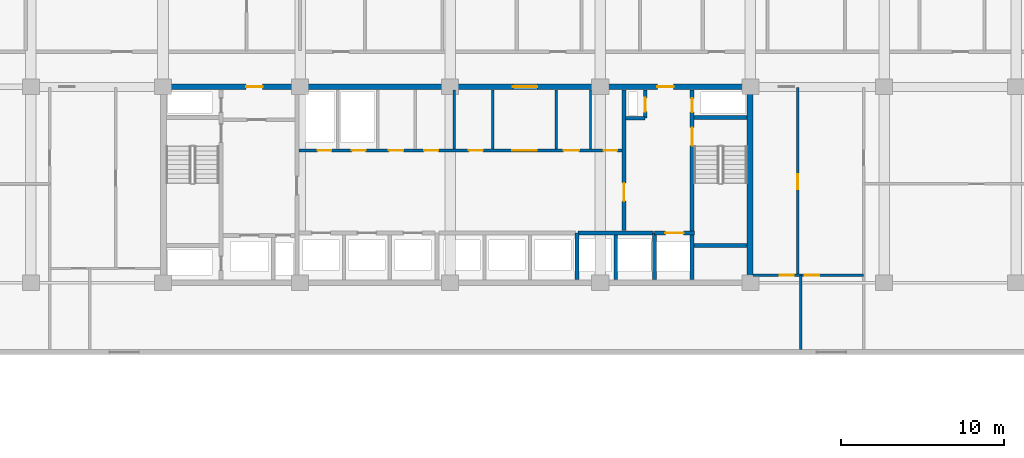
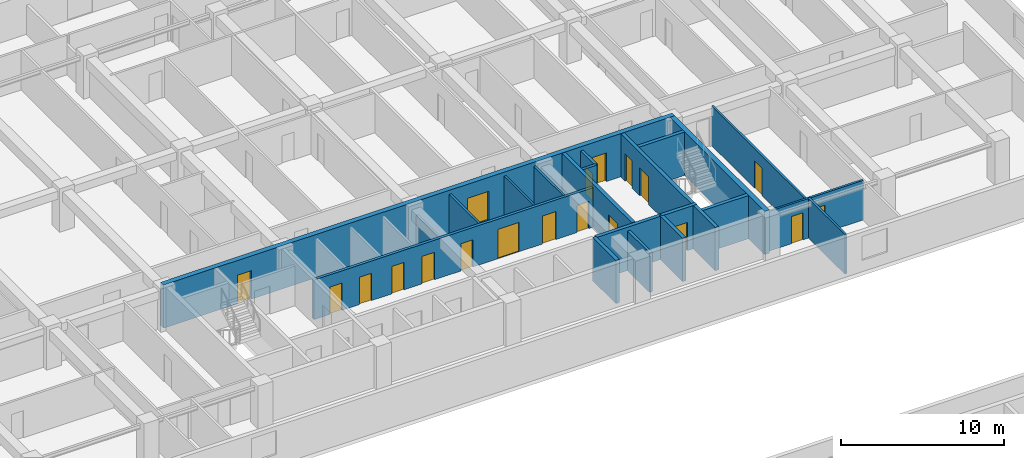
# One storey, part 12 of 23: 21 walls, 19 doors, 19 openings.
"""IFC4 building model written with IfcOpenShell, lengths in metres."""

import ifcopenshell
import ifcopenshell.guid

model = None  # the IFC model being written
_history = None  # IfcOwnerHistory: only IFC2X3 demands one
_inside = {}  # id of a spatial element -> (the spatial element, [elements in it])
_under = {}  # id of a project, library or spatial element -> (it, [spatial elements below it])
_declared = {}  # id of a project -> (the project, [libraries it declares])
_typed = {}  # id of a type object -> (the type object, [elements of that type])
_made_of = {}  # id of a material, layer set ... -> (it, [elements and type objects made of it])


def new_model(schema):
    """Start an empty IFC model of exactly this schema.

    Asked for "IFC4X3", IfcOpenShell would pick the latest addendum, in which some entities
    have other attributes; the version numbers below select the first issue.
    IFC2X3 requires an IfcOwnerHistory on every rooted entity: one is made here for all.
    """
    global model, _history
    if schema == "IFC4X3":
        model = ifcopenshell.file(schema_version=(4, 3, 0, 0))
    else:
        model = ifcopenshell.file(schema=schema)
    _inside.clear()
    _under.clear()
    _declared.clear()
    _typed.clear()
    _made_of.clear()
    _history = None
    if model.schema == "IFC2X3":
        org = make("IfcOrganization", Name="unknown")
        user = make(
            "IfcPersonAndOrganization",
            ThePerson=make("IfcPerson", FamilyName="unknown"),
            TheOrganization=org,
        )
        app = make(
            "IfcApplication",
            ApplicationDeveloper=org,
            Version="unknown",
            ApplicationFullName="unknown",
            ApplicationIdentifier="unknown",
        )
        _history = make(
            "IfcOwnerHistory",
            OwningUser=user,
            OwningApplication=app,
            ChangeAction="ADDED",
            CreationDate=0,
        )
    return model


def make(cls, **values):
    """One entity of the class cls with the attributes given. An attribute that is None is left unset."""
    return model.create_entity(
        cls, **{name: value for name, value in values.items() if value is not None}
    )


def rooted(cls, **values):
    """An entity with a GlobalId (a new one), such as an element, a storey or a relation."""
    return make(cls, GlobalId=ifcopenshell.guid.new(), OwnerHistory=_history, **values)


def si_unit(unit_type, name, prefix=None):
    """IfcSIUnit, for example si_unit("LENGTHUNIT", "METRE", prefix="MILLI")."""
    return make("IfcSIUnit", UnitType=unit_type, Prefix=prefix, Name=name)


def assignment(units):
    """IfcUnitAssignment: the units of a project."""
    return None if units is None else make("IfcUnitAssignment", Units=units)


def point(xyz):
    """IfcCartesianPoint."""
    return None if xyz is None else make("IfcCartesianPoint", Coordinates=xyz)


def direction(xyz):
    """IfcDirection."""
    return None if xyz is None else make("IfcDirection", DirectionRatios=xyz)


def frame(location, z_axis=None, x_axis=None):
    """IfcAxis2Placement3D, a coordinate frame: its origin and axes. An axis left out is left unset."""
    return make(
        "IfcAxis2Placement3D",
        Location=point(location),
        Axis=direction(z_axis),
        RefDirection=direction(x_axis),
    )


def frame_2d(location, x_axis=None):
    """IfcAxis2Placement2D, a coordinate frame in the plane: its origin and x axis."""
    return make(
        "IfcAxis2Placement2D", Location=point(location), RefDirection=direction(x_axis)
    )


def origin():
    """The frame at (0, 0, 0) with its axes left unset."""
    return frame((0.0, 0.0, 0.0))


def place(relative_to, where):
    """IfcLocalPlacement: puts the frame where relative to a parent placement (None: the world)."""
    return make(
        "IfcLocalPlacement", PlacementRelTo=relative_to, RelativePlacement=where
    )


def context(
    kind, dimensions, precision=None, world=None, true_north=None, identifier=None
):
    """IfcGeometricRepresentationContext, for example the 3D "Model" context."""
    return make(
        "IfcGeometricRepresentationContext",
        ContextIdentifier=identifier,
        ContextType=kind,
        CoordinateSpaceDimension=dimensions,
        Precision=precision,
        WorldCoordinateSystem=world,
        TrueNorth=true_north,
    )


def subcontext(parent, identifier, kind, view, scale=None):
    """IfcGeometricRepresentationSubContext, for example "Body" below "Model"."""
    return make(
        "IfcGeometricRepresentationSubContext",
        ContextIdentifier=identifier,
        ContextType=kind,
        ParentContext=parent,
        TargetScale=scale,
        TargetView=view,
    )


def project(units=None, contexts=None):
    """IfcProject with its units and contexts."""
    return rooted(
        "IfcProject",
        Name="project",
        RepresentationContexts=contexts,
        UnitsInContext=assignment(units),
    )


def spatial(cls, under=None, at=None, **own):
    """A site, building, storey or space (cls), placed at a placement, below another one or the project."""
    s = rooted(cls, ObjectPlacement=at, **own)
    if under is not None:
        _under.setdefault(under.id(), (under, []))[1].append(s)
    return s


def profile(cls, at=None, kind="AREA", **sizes):
    """A parametric profile (cls). Its sizes go by their IFC names, for example OverallWidth=200.0."""
    return make(cls, ProfileType=kind, Position=at, **sizes)


def rectangle(**sizes):
    """IfcRectangleProfileDef."""
    return profile("IfcRectangleProfileDef", **sizes)


def extrude(swept, where, along, depth):
    """IfcExtrudedAreaSolid: the profile swept, set in the frame where, extruded along a direction by depth."""
    return make(
        "IfcExtrudedAreaSolid",
        SweptArea=swept,
        Position=where,
        ExtrudedDirection=direction(along),
        Depth=depth,
    )


def shape(context_of_items, identifier, shape_type, items):
    """IfcShapeRepresentation: the items that make up one representation, for example the "Body"."""
    return make(
        "IfcShapeRepresentation",
        ContextOfItems=context_of_items,
        RepresentationIdentifier=identifier,
        RepresentationType=shape_type,
        Items=items,
    )


def material(Name=None, Category=None):
    """IfcMaterial."""
    return make("IfcMaterial", Name=Name, Category=Category)


def layer(
    of_material, thickness, ventilated=None, Name=None, Category=None, Priority=None
):
    """IfcMaterialLayer: one layer of a wall or slab, of a material (None: an air gap)."""
    return make(
        "IfcMaterialLayer",
        Material=of_material,
        LayerThickness=thickness,
        IsVentilated=ventilated,
        Name=Name,
        Category=Category,
        Priority=Priority,
    )


def layer_set(layers, Name=None):
    """IfcMaterialLayerSet."""
    return make("IfcMaterialLayerSet", MaterialLayers=layers, LayerSetName=Name)


def made_of(thing, what):
    """Note that an element or type object is made of a material, layer set ...; save() writes the relation."""
    if what is not None:
        _made_of.setdefault(what.id(), (what, []))[1].append(thing)
    return thing


def type_object(cls, material=None, **own):
    """A type object (cls), such as IfcWallType, which elements share."""
    return made_of(rooted(cls, **own), material)


def element(
    cls,
    number,
    at=None,
    inside=None,
    cuts=None,
    type_object=None,
    material=None,
    context=None,
    identifier="Body",
    shape_type=None,
    held_by="IfcProductDefinitionShape",
    body=None,
    shapes=None,
    **own,
):
    """One element of the class cls, such as IfcWall. Its Tag is "e" and its number.

    at: its placement. inside: the storey or other place that contains it. cuts: it is an
    opening in that element (IfcRelVoidsElement). A single representation is given by context,
    identifier, shape_type and body (its items); several are given by shapes. held_by: the class
    of the entity that holds the representations. save() writes the other relations.
    """
    e = rooted(cls, Tag="e%d" % number, ObjectPlacement=at, **own)
    if body is not None:
        shapes = [shape(context, identifier, shape_type, body)]
    if shapes is not None:
        e.Representation = make(held_by, Representations=shapes)
    if inside is not None:
        _inside.setdefault(inside.id(), (inside, []))[1].append(e)
    if cuts is not None:
        rooted(
            "IfcRelVoidsElement", RelatingBuildingElement=cuts, RelatedOpeningElement=e
        )
    if type_object is not None:
        _typed.setdefault(type_object.id(), (type_object, []))[1].append(e)
    return made_of(e, material)


def fill(opening, filler):
    """IfcRelFillsElement: the door or window that sits in an opening."""
    return rooted(
        "IfcRelFillsElement",
        RelatingOpeningElement=opening,
        RelatedBuildingElement=filler,
    )


def aggregate(whole, parts):
    """IfcRelAggregates: a whole, such as a stair, and the parts it consists of."""
    return rooted("IfcRelAggregates", RelatingObject=whole, RelatedObjects=parts)


def save(model, path):
    """Write the relations noted so far, then the file.

    IfcRelAggregates (storeys below a building ...), IfcRelContainedInSpatialStructure (elements
    in a storey), IfcRelDefinesByType, IfcRelAssociatesMaterial and IfcRelDeclares: one each for
    every whole, place, type object, material and project.
    """
    for whole, parts in _under.values():
        aggregate(whole, parts)
    for where, things in _inside.values():
        rooted(
            "IfcRelContainedInSpatialStructure",
            RelatedElements=things,
            RelatingStructure=where,
        )
    for kind, things in _typed.values():
        rooted("IfcRelDefinesByType", RelatedObjects=things, RelatingType=kind)
    for what, things in _made_of.values():
        rooted("IfcRelAssociatesMaterial", RelatedObjects=things, RelatingMaterial=what)
    for by, libraries in _declared.values():
        rooted("IfcRelDeclares", RelatingContext=by, RelatedDefinitions=libraries)
    model.write(path)


model = new_model("IFC4")

# Units and contexts
model_context = context("Model", 3, precision=1e-05, world=origin(), true_north=direction((0.0, 1.0)))
body_context = subcontext(model_context, "Body", "Model", "MODEL_VIEW")
ifc_project = project(units=[si_unit("LENGTHUNIT", "METRE"), si_unit("AREAUNIT", "SQUARE_METRE"), si_unit("VOLUMEUNIT", "CUBIC_METRE"), si_unit("PLANEANGLEUNIT", "RADIAN"), si_unit("MASSUNIT", "GRAM", prefix="KILO")], contexts=[model_context])

# Site, building, storey
site_placement = place(None, origin())
site = spatial("IfcSite", under=ifc_project, at=site_placement, CompositionType="ELEMENT")
building_placement = place(site_placement, origin())
building = spatial("IfcBuilding", under=site, at=building_placement, Name="Korimba Cascade Residences", CompositionType="ELEMENT")
storey_placement = place(building_placement, frame((0.0, 0.0, 40.25)))
storey = spatial("IfcBuildingStorey", under=building, at=storey_placement, Name="L10", CompositionType="ELEMENT", Elevation=40.25)

# Wall
ifc_material_1 = material(Name="Concrete C65/80", Category="concrete")
ifc_layer_1 = layer(ifc_material_1, 0.35009765625)
ifc_layer_set_1 = layer_set([ifc_layer_1], Name="Concrete C65/80")
wall_type_1 = type_object("IfcWallType", Name="WAL-CORE-350", PredefinedType="SHEAR", material=ifc_layer_set_1)
wall_1_placement = place(storey_placement, frame((112.074951171875, 55.375, 0.0), z_axis=(0.0, 0.0, 1.0), x_axis=(0.0, 1.0, 0.0)))
element("IfcWall", 1, at=wall_1_placement, inside=storey, type_object=wall_type_1, Name="L10 Core Shear Wall CW-L10-T1-E", PredefinedType="SHEAR", context=body_context, shape_type="SweptSolid", body=[
    extrude(rectangle(XDim=11.64990234375, YDim=0.35009765625, at=frame_2d((5.824951171875, 0.0))), origin(), (0.0, 0.0, 1.0), 3.25),
])

# Wall, openings, doors
wall_2_placement = place(storey_placement, frame((75.949951171875, 67.199951171875, 0.0), z_axis=(0.0, 0.0, 1.0), x_axis=(1.0, 0.0, 0.0)))
wall_2 = element("IfcWall", 2, at=wall_2_placement, inside=storey, type_object=wall_type_1, Name="L10 Core Shear Wall CW-L10-T1-N", PredefinedType="SHEAR", context=body_context, shape_type="SweptSolid", body=[
    extrude(rectangle(XDim=36.300048828125, YDim=0.35009765625, at=frame_2d((18.14990234375, 0.0))), origin(), (0.0, 0.0, 1.0), 3.25),
])
opening_1_placement = place(wall_2_placement, frame((5.25, 0.0, 0.0)))
opening_1 = element("IfcOpeningElement", 3, at=opening_1_placement, cuts=wall_2, Name="Opening D-FD5", PredefinedType="OPENING", context=body_context, shape_type="SweptSolid", body=[
    extrude(rectangle(XDim=1.0, YDim=2.14990234375, at=frame_2d((0.5, 1.074951171875))), frame((0.0, 0.18505859375, 0.0), z_axis=(0.0, -1.0, 0.0), x_axis=(1.0, 0.0, 0.0)), (0.0, 0.0, 1.0), 0.3701171875),
])
opening_2_placement = place(wall_2_placement, frame((21.60009765625, 0.0, 0.0)))
opening_2 = element("IfcOpeningElement", 4, at=opening_2_placement, cuts=wall_2, Name="Opening D-FD8", PredefinedType="OPENING", context=body_context, shape_type="SweptSolid", body=[
    extrude(rectangle(XDim=1.5, YDim=2.199951171875, at=frame_2d((0.75, 1.10009765625))), frame((0.0, 0.18505859375, 0.0), z_axis=(0.0, -1.0, 0.0), x_axis=(1.0, 0.0, 0.0)), (0.0, 0.0, 1.0), 0.3701171875),
])
opening_3_placement = place(wall_2_placement, frame((30.449951171875, 0.0, 0.0)))
opening_3 = element("IfcOpeningElement", 5, at=opening_3_placement, cuts=wall_2, Name="Opening D-FD5", PredefinedType="OPENING", context=body_context, shape_type="SweptSolid", body=[
    extrude(rectangle(XDim=1.0, YDim=2.14990234375, at=frame_2d((0.5, 1.074951171875))), frame((0.0, 0.18505859375, 0.0), z_axis=(0.0, -1.0, 0.0), x_axis=(1.0, 0.0, 0.0)), (0.0, 0.0, 1.0), 0.3701171875),
])
ifc_material_2 = material(Name="Fire-Rated Acoustic Timber Vestibule Door", Category="wood")
door_type_1 = type_object("IfcDoorType", Name="DR-FD90-1000", OperationType="NOTDEFINED", PredefinedType="DOOR", material=ifc_material_2)
door_1_placement = place(opening_1_placement, origin())
door_1 = element("IfcDoor", 6, at=door_1_placement, inside=storey, type_object=door_type_1, Name="L10 T1 West Core Vestibule Fire Door", OperationType="SINGLE_SWING_LEFT", OverallHeight=2.14990234375, OverallWidth=1.0, PredefinedType="DOOR", context=body_context, shape_type="SweptSolid", body=[
    extrude(rectangle(XDim=1.0, YDim=2.14990234375, at=frame_2d((0.5, 1.074951171875))), frame((0.0, 0.02490234375, 0.0), z_axis=(0.0, -1.0, 0.0), x_axis=(1.0, 0.0, 0.0)), (0.0, 0.0, 1.0), 0.050048828125),
])
fill(opening_1, door_1)
door_2_placement = place(opening_3_placement, origin())
door_2 = element("IfcDoor", 7, at=door_2_placement, inside=storey, type_object=door_type_1, Name="L10 T1 East Firefighting Vestibule Fire Door", OperationType="SINGLE_SWING_RIGHT", OverallHeight=2.14990234375, OverallWidth=1.0, PredefinedType="DOOR", context=body_context, shape_type="SweptSolid", body=[
    extrude(rectangle(XDim=1.0, YDim=2.14990234375, at=frame_2d((0.5, 1.074951171875))), frame((0.0, 0.02490234375, 0.0), z_axis=(0.0, -1.0, 0.0), x_axis=(1.0, 0.0, 0.0)), (0.0, 0.0, 1.0), 0.050048828125),
])
fill(opening_3, door_2)
ifc_material_3 = material(Name="Fire-Rated Glazed Lift Lobby Double Door", Category="glass")
door_type_2 = type_object("IfcDoorType", Name="DR-FD90-1500", OperationType="NOTDEFINED", PredefinedType="DOOR", material=ifc_material_3)
door_3_placement = place(opening_2_placement, origin())
door_3 = element("IfcDoor", 8, at=door_3_placement, inside=storey, type_object=door_type_2, Name="L10 T1 Lift Lobby Fire Door", OperationType="DOUBLE_DOOR_SINGLE_SWING", OverallHeight=2.199951171875, OverallWidth=1.5, PredefinedType="DOOR", context=body_context, shape_type="SweptSolid", body=[
    extrude(rectangle(XDim=1.5, YDim=2.199951171875, at=frame_2d((0.75, 1.10009765625))), frame((0.0, 0.02490234375, 0.0), z_axis=(0.0, -1.0, 0.0), x_axis=(1.0, 0.0, 0.0)), (0.0, 0.0, 1.0), 0.050048828125),
])
fill(opening_2, door_3)

# Walls
ifc_material_4 = material(Name="Insulated Acoustic Stud Partition", Category="gypsum")
ifc_layer_2 = layer(ifc_material_4, 0.14990234375)
ifc_layer_set_2 = layer_set([ifc_layer_2], Name="Insulated Acoustic Stud Partition")
wall_type_2 = type_object("IfcWallType", Name="WAL-PART-150", PredefinedType="PARTITIONING", material=ifc_layer_set_2)
wall_3_placement = place(storey_placement, frame((93.949951171875, 63.39990234375, 0.0), z_axis=(0.0, 0.0, 1.0), x_axis=(0.0, 1.0, 0.0)))
element("IfcWall", 9, at=wall_3_placement, inside=storey, type_object=wall_type_2, Name="L10 Partition Wall CW-L10-T1-CA1W2", PredefinedType="PARTITIONING", context=body_context, shape_type="SweptSolid", body=[
    extrude(rectangle(XDim=3.60009765625, YDim=0.14990234375, at=frame_2d((1.800048828125, 0.0))), origin(), (0.0, 0.0, 1.0), 2.219970703125),
])
for number, where, z_axis, x_axis, name in (
    (10, (102.300048828125, 63.39990234375, 0.0), (0.0, 0.0, 1.0), (0.0, 1.0, 0.0), "L10 Partition Wall CW-L10-T1-CA1E1"),
    (11, (96.300048828125, 63.39990234375, 0.0), (0.0, 0.0, 1.0), (0.0, 1.0, 0.0), "L10 Partition Wall CW-L10-T1-THW"),
    (12, (100.199951171875, 63.39990234375, 0.0), (0.0, 0.0, 1.0), (0.0, 1.0, 0.0), "L10 Partition Wall CW-L10-T1-THE"),
):
    element("IfcWall", number, at=place(storey_placement, frame(where, z_axis=z_axis, x_axis=x_axis)), inside=storey, type_object=wall_type_2, Name=name, PredefinedType="PARTITIONING", context=body_context, shape_type="SweptSolid", body=[
        extrude(rectangle(XDim=3.60009765625, YDim=0.14990234375, at=frame_2d((1.800048828125, 0.0))), origin(), (0.0, 0.0, 1.0), 2.969970703125),
    ])

# Wall, opening, door
wall_4_placement = place(storey_placement, frame((115.0, 55.64990234375, 0.0), z_axis=(0.0, 0.0, 1.0), x_axis=(0.0, 1.0, 0.0)))
wall_4 = element("IfcWall", 13, at=wall_4_placement, inside=storey, type_object=wall_type_2, Name="L10 Partition Wall WAL-L10-T1-FE-VN", PredefinedType="PARTITIONING", context=body_context, shape_type="SweptSolid", body=[
    extrude(rectangle(XDim=11.5, YDim=0.14990234375, at=frame_2d((5.75, 0.0))), origin(), (0.0, 0.0, 1.0), 2.969970703125),
])
opening_4_placement = place(wall_4_placement, frame((5.2900390625, 0.0, 0.0)))
opening_4 = element("IfcOpeningElement", 14, at=opening_4_placement, cuts=wall_4, Name="Opening D-IN1", PredefinedType="OPENING", context=body_context, shape_type="SweptSolid", body=[
    extrude(rectangle(XDim=0.919921875, YDim=2.080078125, at=frame_2d((0.4599609375, 1.0400390625))), frame((0.0, 0.0849609375, 0.0), z_axis=(0.0, -1.0, 0.0), x_axis=(1.0, 0.0, 0.0)), (0.0, 0.0, 1.0), 0.169921875),
])
ifc_material_5 = material(Name="Acoustic Timber Living Door", Category="wood")
door_type_3 = type_object("IfcDoorType", Name="DR-INT-920", OperationType="NOTDEFINED", PredefinedType="DOOR", material=ifc_material_5)
door_4_placement = place(opening_4_placement, origin())
door_4 = element("IfcDoor", 15, at=door_4_placement, inside=storey, type_object=door_type_3, Name="L10-T1-FE Living Door", OperationType="SINGLE_SWING_RIGHT", OverallHeight=2.080078125, OverallWidth=0.919921875, PredefinedType="DOOR", context=body_context, shape_type="SweptSolid", body=[
    extrude(rectangle(XDim=0.919921875, YDim=2.080078125, at=frame_2d((0.4599609375, 1.0400390625))), frame((0.0, 0.02490234375, 0.0), z_axis=(0.0, -1.0, 0.0), x_axis=(1.0, 0.0, 0.0)), (0.0, 0.0, 1.0), 0.050048828125),
])
fill(opening_4, door_4)

# Wall
wall_5_placement = place(storey_placement, frame((115.199951171875, 51.10009765625, 0.0), z_axis=(0.0, 0.0, 1.0), x_axis=(0.0, 1.0, 0.0)))
element("IfcWall", 16, at=wall_5_placement, inside=storey, type_object=wall_type_2, Name="L10 Partition Wall WAL-L10-T1-FE-VS", PredefinedType="PARTITIONING", context=body_context, shape_type="SweptSolid", body=[
    extrude(rectangle(XDim=4.5498046875, YDim=0.14990234375, at=frame_2d((2.27490234375, 0.0))), origin(), (0.0, 0.0, 1.0), 2.969970703125),
])

# Wall, openings, doors
wall_6_placement = place(storey_placement, frame((112.27001953125, 55.64990234375, 0.0), z_axis=(0.0, 0.0, 1.0), x_axis=(1.0, 0.0, 0.0)))
wall_6 = element("IfcWall", 17, at=wall_6_placement, inside=storey, type_object=wall_type_2, Name="L10 Partition Wall WAL-L10-T1-FE-H", PredefinedType="PARTITIONING", context=body_context, shape_type="SweptSolid", body=[
    extrude(rectangle(XDim=6.760009765625, YDim=0.14990234375, at=frame_2d((3.3798828125, 0.0))), origin(), (0.0, 0.0, 1.0), 2.969970703125),
])
opening_5_placement = place(wall_6_placement, frame((1.6396484375, 0.0, 0.0)))
opening_5 = element("IfcOpeningElement", 18, at=opening_5_placement, cuts=wall_6, Name="Opening D-BT1", PredefinedType="OPENING", context=body_context, shape_type="SweptSolid", body=[
    extrude(rectangle(XDim=0.840087890625, YDim=2.0400390625, at=frame_2d((0.419921875, 1.02001953125))), frame((0.0, 0.0849609375, 0.0), z_axis=(0.0, -1.0, 0.0), x_axis=(1.0, 0.0, 0.0)), (0.0, 0.0, 1.0), 0.169921875),
])
opening_6_placement = place(wall_6_placement, frame((3.160400390625, 0.0, 0.0)))
opening_6 = element("IfcOpeningElement", 19, at=opening_6_placement, cuts=wall_6, Name="Opening D-IN2", PredefinedType="OPENING", context=body_context, shape_type="SweptSolid", body=[
    extrude(rectangle(XDim=0.8798828125, YDim=2.06005859375, at=frame_2d((0.43994140625, 1.030029296875))), frame((0.0, 0.0849609375, 0.0), z_axis=(0.0, -1.0, 0.0), x_axis=(1.0, 0.0, 0.0)), (0.0, 0.0, 1.0), 0.169921875),
])
ifc_material_6 = material(Name="Moisture-Resistant Bathroom Timber Door", Category="wood")
door_type_4 = type_object("IfcDoorType", Name="DR-INT-850", OperationType="NOTDEFINED", PredefinedType="DOOR", material=ifc_material_6)
door_5_placement = place(opening_5_placement, origin())
door_5 = element("IfcDoor", 20, at=door_5_placement, inside=storey, type_object=door_type_4, Name="L10-T1-FE Bathroom Door", OperationType="SINGLE_SWING_LEFT", OverallHeight=2.0400390625, OverallWidth=0.840087890625, PredefinedType="DOOR", context=body_context, shape_type="SweptSolid", body=[
    extrude(rectangle(XDim=0.840087890625, YDim=2.0400390625, at=frame_2d((0.419921875, 1.02001953125))), frame((0.0, 0.02490234375, 0.0), z_axis=(0.0, -1.0, 0.0), x_axis=(1.0, 0.0, 0.0)), (0.0, 0.0, 1.0), 0.050048828125),
])
fill(opening_5, door_5)
ifc_material_7 = material(Name="Acoustic Timber Bedroom Door", Category="wood")
door_type_5 = type_object("IfcDoorType", Name="DR-INT-880", OperationType="NOTDEFINED", PredefinedType="DOOR", material=ifc_material_7)
door_6_placement = place(opening_6_placement, origin())
door_6 = element("IfcDoor", 21, at=door_6_placement, inside=storey, type_object=door_type_5, Name="L10-T1-FE Bedroom Door", OperationType="SINGLE_SWING_RIGHT", OverallHeight=2.06005859375, OverallWidth=0.8798828125, PredefinedType="DOOR", context=body_context, shape_type="SweptSolid", body=[
    extrude(rectangle(XDim=0.8798828125, YDim=2.06005859375, at=frame_2d((0.43994140625, 1.030029296875))), frame((0.0, 0.02490234375, 0.0), z_axis=(0.0, -1.0, 0.0), x_axis=(1.0, 0.0, 0.0)), (0.0, 0.0, 1.0), 0.050048828125),
])
fill(opening_6, door_6)

# Wall
ifc_material_8 = material(Name="Concrete C40/50", Category="concrete")
ifc_layer_3 = layer(ifc_material_8, 0.199951171875)
ifc_layer_set_3 = layer_set([ifc_layer_3], Name="Concrete C40/50")
wall_type_3 = type_object("IfcWallType", Name="WAL-PART-200", PredefinedType="PARTITIONING", material=ifc_layer_set_3)
wall_7_placement = place(storey_placement, frame((103.85009765625, 55.39990234375, 0.0), z_axis=(0.0, 0.0, 1.0), x_axis=(0.0, 1.0, 0.0)))
element("IfcWall", 22, at=wall_7_placement, inside=storey, type_object=wall_type_3, Name="L10 Partition Wall CW-L10-T1-B3D1", PredefinedType="PARTITIONING", context=body_context, shape_type="SweptSolid", body=[
    extrude(rectangle(XDim=2.72021484375, YDim=0.199951171875, at=frame_2d((1.360107421875, 0.0))), origin(), (0.0, 0.0, 1.0), 2.969970703125),
])

# Wall, openings, doors
wall_8_placement = place(storey_placement, frame((84.419921875, 63.300048828125, 0.0), z_axis=(0.0, 0.0, 1.0), x_axis=(1.0, 0.0, 0.0)))
wall_8 = element("IfcWall", 23, at=wall_8_placement, inside=storey, type_object=wall_type_3, Name="L10 Partition Wall CW-L10-T1-SRVROW", PredefinedType="PARTITIONING", context=body_context, shape_type="SweptSolid", body=[
    extrude(rectangle(XDim=19.830078125, YDim=0.199951171875, at=frame_2d((9.9150390625, 0.0))), origin(), (0.0, 0.0, 1.0), 2.969970703125),
])
opening_7_placement = place(wall_8_placement, frame((1.14990234375, 0.0, 0.0)))
opening_7 = element("IfcOpeningElement", 24, at=opening_7_placement, cuts=wall_8, Name="Opening D-RS1", PredefinedType="OPENING", context=body_context, shape_type="SweptSolid", body=[
    extrude(rectangle(XDim=0.85009765625, YDim=2.050048828125, at=frame_2d((0.425048828125, 1.02490234375))), frame((0.0, 0.10986328125, 0.0), z_axis=(0.0, -1.0, 0.0), x_axis=(1.0, 0.0, 0.0)), (0.0, 0.0, 1.0), 0.219970703125),
])
opening_8_placement = place(wall_8_placement, frame((3.25, 0.0, 0.0)))
opening_8 = element("IfcOpeningElement", 25, at=opening_8_placement, cuts=wall_8, Name="Opening D-RS1", PredefinedType="OPENING", context=body_context, shape_type="SweptSolid", body=[
    extrude(rectangle(XDim=0.85009765625, YDim=2.050048828125, at=frame_2d((0.425048828125, 1.02490234375))), frame((0.0, 0.10986328125, 0.0), z_axis=(0.0, -1.0, 0.0), x_axis=(1.0, 0.0, 0.0)), (0.0, 0.0, 1.0), 0.219970703125),
])
opening_9_placement = place(wall_8_placement, frame((13.080078125, 0.0, 0.0)))
opening_9 = element("IfcOpeningElement", 26, at=opening_9_placement, cuts=wall_8, Name="Opening D-FD8", PredefinedType="OPENING", context=body_context, shape_type="SweptSolid", body=[
    extrude(rectangle(XDim=1.5, YDim=2.199951171875, at=frame_2d((0.75, 1.10009765625))), frame((0.0, 0.10986328125, 0.0), z_axis=(0.0, -1.0, 0.0), x_axis=(1.0, 0.0, 0.0)), (0.0, 0.0, 1.0), 0.219970703125),
])
opening_10_placement = place(wall_8_placement, frame((5.530029296875, 0.0, 0.0)))
opening_10 = element("IfcOpeningElement", 27, at=opening_10_placement, cuts=wall_8, Name="Opening D-IN2", PredefinedType="OPENING", context=body_context, shape_type="SweptSolid", body=[
    extrude(rectangle(XDim=0.8798828125, YDim=2.06005859375, at=frame_2d((0.43994140625, 1.030029296875))), frame((0.0, 0.10986328125, 0.0), z_axis=(0.0, -1.0, 0.0), x_axis=(1.0, 0.0, 0.0)), (0.0, 0.0, 1.0), 0.219970703125),
])
opening_11_placement = place(wall_8_placement, frame((7.679931640625, 0.0, 0.0)))
opening_11 = element("IfcOpeningElement", 28, at=opening_11_placement, cuts=wall_8, Name="Opening D-IN2", PredefinedType="OPENING", context=body_context, shape_type="SweptSolid", body=[
    extrude(rectangle(XDim=0.8798828125, YDim=2.06005859375, at=frame_2d((0.43994140625, 1.030029296875))), frame((0.0, 0.10986328125, 0.0), z_axis=(0.0, -1.0, 0.0), x_axis=(1.0, 0.0, 0.0)), (0.0, 0.0, 1.0), 0.219970703125),
])
opening_12_placement = place(wall_8_placement, frame((10.429931640625, 0.0, 0.0)))
opening_12 = element("IfcOpeningElement", 29, at=opening_12_placement, cuts=wall_8, Name="Opening D-RS1", PredefinedType="OPENING", context=body_context, shape_type="SweptSolid", body=[
    extrude(rectangle(XDim=0.85009765625, YDim=2.050048828125, at=frame_2d((0.425048828125, 1.02490234375))), frame((0.0, 0.10986328125, 0.0), z_axis=(0.0, -1.0, 0.0), x_axis=(1.0, 0.0, 0.0)), (0.0, 0.0, 1.0), 0.219970703125),
])
opening_13_placement = place(wall_8_placement, frame((16.22998046875, 0.0, 0.0)))
opening_13 = element("IfcOpeningElement", 30, at=opening_13_placement, cuts=wall_8, Name="Opening D-AC1", PredefinedType="OPENING", context=body_context, shape_type="SweptSolid", body=[
    extrude(rectangle(XDim=0.9599609375, YDim=2.10009765625, at=frame_2d((0.47998046875, 1.050048828125))), frame((0.0, 0.10986328125, 0.0), z_axis=(0.0, -1.0, 0.0), x_axis=(1.0, 0.0, 0.0)), (0.0, 0.0, 1.0), 0.219970703125),
])
opening_14_placement = place(wall_8_placement, frame((18.679931640625, 0.0, 0.0)))
opening_14 = element("IfcOpeningElement", 31, at=opening_14_placement, cuts=wall_8, Name="Opening D-BT1", PredefinedType="OPENING", context=body_context, shape_type="SweptSolid", body=[
    extrude(rectangle(XDim=0.840087890625, YDim=2.0400390625, at=frame_2d((0.419921875, 1.02001953125))), frame((0.0, 0.10986328125, 0.0), z_axis=(0.0, -1.0, 0.0), x_axis=(1.0, 0.0, 0.0)), (0.0, 0.0, 1.0), 0.219970703125),
])
ifc_material_9 = material(Name="Accessible Acoustic Timber WC Door", Category="wood")
door_type_6 = type_object("IfcDoorType", Name="DR-ACC-950", OperationType="NOTDEFINED", PredefinedType="DOOR", material=ifc_material_9)
door_7_placement = place(opening_13_placement, origin())
door_7 = element("IfcDoor", 32, at=door_7_placement, inside=storey, type_object=door_type_6, Name="L10 Accessible Staff WC Door", OperationType="SINGLE_SWING_RIGHT", OverallHeight=2.10009765625, OverallWidth=0.9599609375, PredefinedType="DOOR", context=body_context, shape_type="SweptSolid", body=[
    extrude(rectangle(XDim=0.9599609375, YDim=2.10009765625, at=frame_2d((0.47998046875, 1.050048828125))), frame((0.0, 0.02490234375, 0.0), z_axis=(0.0, -1.0, 0.0), x_axis=(1.0, 0.0, 0.0)), (0.0, 0.0, 1.0), 0.050048828125),
])
fill(opening_13, door_7)
ifc_material_10 = material(Name="Fire-Rated Steel Riser Access Door", Category="steel")
door_type_7 = type_object("IfcDoorType", Name="DR-FD60-850", OperationType="NOTDEFINED", PredefinedType="DOOR", material=ifc_material_10)
door_8_placement = place(opening_7_placement, origin())
door_8 = element("IfcDoor", 33, at=door_8_placement, inside=storey, type_object=door_type_7, Name="L10 Electrical Riser Door", OperationType="SINGLE_SWING_LEFT", OverallHeight=2.050048828125, OverallWidth=0.85009765625, PredefinedType="DOOR", context=body_context, shape_type="SweptSolid", body=[
    extrude(rectangle(XDim=0.85009765625, YDim=2.050048828125, at=frame_2d((0.425048828125, 1.02490234375))), frame((0.0, 0.02490234375, 0.0), z_axis=(0.0, -1.0, 0.0), x_axis=(1.0, 0.0, 0.0)), (0.0, 0.0, 1.0), 0.050048828125),
])
fill(opening_7, door_8)
door_9_placement = place(opening_8_placement, origin())
door_9 = element("IfcDoor", 34, at=door_9_placement, inside=storey, type_object=door_type_7, Name="L10 Plumbing Riser Door", OperationType="SINGLE_SWING_RIGHT", OverallHeight=2.050048828125, OverallWidth=0.85009765625, PredefinedType="DOOR", context=body_context, shape_type="SweptSolid", body=[
    extrude(rectangle(XDim=0.85009765625, YDim=2.050048828125, at=frame_2d((0.425048828125, 1.02490234375))), frame((0.0, 0.02490234375, 0.0), z_axis=(0.0, -1.0, 0.0), x_axis=(1.0, 0.0, 0.0)), (0.0, 0.0, 1.0), 0.050048828125),
])
fill(opening_8, door_9)
door_10_placement = place(opening_12_placement, origin())
door_10 = element("IfcDoor", 35, at=door_10_placement, inside=storey, type_object=door_type_7, Name="L10 IT Room Door", OperationType="SINGLE_SWING_LEFT", OverallHeight=2.050048828125, OverallWidth=0.85009765625, PredefinedType="DOOR", context=body_context, shape_type="SweptSolid", body=[
    extrude(rectangle(XDim=0.85009765625, YDim=2.050048828125, at=frame_2d((0.425048828125, 1.02490234375))), frame((0.0, 0.02490234375, 0.0), z_axis=(0.0, -1.0, 0.0), x_axis=(1.0, 0.0, 0.0)), (0.0, 0.0, 1.0), 0.050048828125),
])
fill(opening_12, door_10)
door_11_placement = place(opening_9_placement, origin())
door_11 = element("IfcDoor", 36, at=door_11_placement, inside=storey, type_object=door_type_2, Name="L10 Lift Lobby Foyer Archway Door", OperationType="DOUBLE_DOOR_SINGLE_SWING", OverallHeight=2.199951171875, OverallWidth=1.5, PredefinedType="DOOR", context=body_context, shape_type="SweptSolid", body=[
    extrude(rectangle(XDim=1.5, YDim=2.199951171875, at=frame_2d((0.75, 1.10009765625))), frame((0.0, 0.02490234375, 0.0), z_axis=(0.0, -1.0, 0.0), x_axis=(1.0, 0.0, 0.0)), (0.0, 0.0, 1.0), 0.050048828125),
])
fill(opening_9, door_11)
door_12_placement = place(opening_14_placement, origin())
door_12 = element("IfcDoor", 37, at=door_12_placement, inside=storey, type_object=door_type_4, Name="L10 Vending Room Door", OperationType="SINGLE_SWING_LEFT", OverallHeight=2.0400390625, OverallWidth=0.840087890625, PredefinedType="DOOR", context=body_context, shape_type="SweptSolid", body=[
    extrude(rectangle(XDim=0.840087890625, YDim=2.0400390625, at=frame_2d((0.419921875, 1.02001953125))), frame((0.0, 0.02490234375, 0.0), z_axis=(0.0, -1.0, 0.0), x_axis=(1.0, 0.0, 0.0)), (0.0, 0.0, 1.0), 0.050048828125),
])
fill(opening_14, door_12)
door_13_placement = place(opening_10_placement, origin())
door_13 = element("IfcDoor", 38, at=door_13_placement, inside=storey, type_object=door_type_5, Name="L10 Cleaners Door", OperationType="SINGLE_SWING_LEFT", OverallHeight=2.06005859375, OverallWidth=0.8798828125, PredefinedType="DOOR", context=body_context, shape_type="SweptSolid", body=[
    extrude(rectangle(XDim=0.8798828125, YDim=2.06005859375, at=frame_2d((0.43994140625, 1.030029296875))), frame((0.0, 0.02490234375, 0.0), z_axis=(0.0, -1.0, 0.0), x_axis=(1.0, 0.0, 0.0)), (0.0, 0.0, 1.0), 0.050048828125),
])
fill(opening_10, door_13)
door_14_placement = place(opening_11_placement, origin())
door_14 = element("IfcDoor", 39, at=door_14_placement, inside=storey, type_object=door_type_5, Name="L10 Pantry Door", OperationType="SINGLE_SWING_RIGHT", OverallHeight=2.06005859375, OverallWidth=0.8798828125, PredefinedType="DOOR", context=body_context, shape_type="SweptSolid", body=[
    extrude(rectangle(XDim=0.8798828125, YDim=2.06005859375, at=frame_2d((0.43994140625, 1.030029296875))), frame((0.0, 0.02490234375, 0.0), z_axis=(0.0, -1.0, 0.0), x_axis=(1.0, 0.0, 0.0)), (0.0, 0.0, 1.0), 0.050048828125),
])
fill(opening_11, door_14)

# Wall
wall_9_placement = place(storey_placement, frame((104.449951171875, 65.280029296875, 0.0), z_axis=(0.0, 0.0, 1.0), x_axis=(1.0, 0.0, 0.0)))
element("IfcWall", 40, at=wall_9_placement, inside=storey, type_object=wall_type_3, Name="L10 Partition Wall CW-L10-T1-HYDW2S", PredefinedType="PARTITIONING", context=body_context, shape_type="SweptSolid", body=[
    extrude(rectangle(XDim=1.199951171875, YDim=0.199951171875, at=frame_2d((0.60009765625, 0.0))), origin(), (0.0, 0.0, 1.0), 2.969970703125),
])

# Wall, opening, door
wall_10_placement = place(storey_placement, frame((105.64990234375, 65.280029296875, 0.0), z_axis=(0.0, 0.0, 1.0), x_axis=(0.0, 1.0, 0.0)))
wall_10 = element("IfcWall", 41, at=wall_10_placement, inside=storey, type_object=wall_type_3, Name="L10 Partition Wall CW-L10-T1-HYDW2E", PredefinedType="PARTITIONING", context=body_context, shape_type="SweptSolid", body=[
    extrude(rectangle(XDim=1.719970703125, YDim=0.199951171875, at=frame_2d((0.85986328125, 0.0))), origin(), (0.0, 0.0, 1.0), 2.969970703125),
])
opening_15_placement = place(wall_10_placement, frame((0.39990234375, 0.0, 0.0)))
opening_15 = element("IfcOpeningElement", 42, at=opening_15_placement, cuts=wall_10, Name="Opening D-RS1", PredefinedType="OPENING", context=body_context, shape_type="SweptSolid", body=[
    extrude(rectangle(XDim=0.85009765625, YDim=2.050048828125, at=frame_2d((0.425048828125, 1.02490234375))), frame((0.0, 0.10986328125, 0.0), z_axis=(0.0, -1.0, 0.0), x_axis=(1.0, 0.0, 0.0)), (0.0, 0.0, 1.0), 0.219970703125),
])
door_15_placement = place(opening_15_placement, origin())
door_15 = element("IfcDoor", 43, at=door_15_placement, inside=storey, type_object=door_type_7, Name="L10 East Hydrant Door", OperationType="SINGLE_SWING_RIGHT", OverallHeight=2.050048828125, OverallWidth=0.85009765625, PredefinedType="DOOR", context=body_context, shape_type="SweptSolid", body=[
    extrude(rectangle(XDim=0.85009765625, YDim=2.050048828125, at=frame_2d((0.425048828125, 1.02490234375))), frame((0.0, 0.02490234375, 0.0), z_axis=(0.0, -1.0, 0.0), x_axis=(1.0, 0.0, 0.0)), (0.0, 0.0, 1.0), 0.050048828125),
])
fill(opening_15, door_15)

# Walls
ifc_material_11 = material(Name="Concrete C50/60", Category="concrete")
ifc_layer_4 = layer(ifc_material_11, 0.25)
ifc_layer_set_4 = layer_set([ifc_layer_4], Name="Concrete C50/60")
wall_type_4 = type_object("IfcWallType", Name="WAL-SHAFT-250", PredefinedType="SHEAR", material=ifc_layer_set_4)
wall_11_placement = place(storey_placement, frame((101.47998046875, 55.39990234375, 0.0), z_axis=(0.0, 0.0, 1.0), x_axis=(0.0, 1.0, 0.0)))
element("IfcWall", 44, at=wall_11_placement, inside=storey, type_object=wall_type_4, Name="L10 Core Shear Wall CW-L10-T1-B23DIV", PredefinedType="SHEAR", context=body_context, shape_type="SweptSolid", body=[
    extrude(rectangle(XDim=2.85009765625, YDim=0.25, at=frame_2d((1.425048828125, 0.0))), origin(), (0.0, 0.0, 1.0), 3.25),
])
wall_12_placement = place(storey_placement, frame((101.550048828125, 58.25, 0.0), z_axis=(0.0, 0.0, 1.0), x_axis=(1.0, 0.0, 0.0)))
element("IfcWall", 45, at=wall_12_placement, inside=storey, type_object=wall_type_4, Name="L10 Core Shear Wall CW-L10-T1-B3N", PredefinedType="SHEAR", context=body_context, shape_type="SweptSolid", body=[
    extrude(rectangle(XDim=4.599853515625, YDim=0.25, at=frame_2d((2.2998046875, 0.0))), origin(), (0.0, 0.0, 1.0), 3.25),
])
wall_13_placement = place(storey_placement, frame((106.219970703125, 55.39990234375, 0.0), z_axis=(0.0, 0.0, 1.0), x_axis=(0.0, 1.0, 0.0)))
element("IfcWall", 46, at=wall_13_placement, inside=storey, type_object=wall_type_4, Name="L10 Core Shear Wall CW-L10-T1-FF2W", PredefinedType="SHEAR", context=body_context, shape_type="SweptSolid", body=[
    extrude(rectangle(XDim=2.85009765625, YDim=0.25, at=frame_2d((1.425048828125, 0.0))), origin(), (0.0, 0.0, 1.0), 3.25),
])

# Wall, opening, door
wall_14_placement = place(storey_placement, frame((106.219970703125, 58.25, 0.0), z_axis=(0.0, 0.0, 1.0), x_axis=(1.0, 0.0, 0.0)))
wall_14 = element("IfcWall", 47, at=wall_14_placement, inside=storey, type_object=wall_type_4, Name="L10 Core Shear Wall CW-L10-T1-FF2N", PredefinedType="SHEAR", context=body_context, shape_type="SweptSolid", body=[
    extrude(rectangle(XDim=2.4599609375, YDim=0.25, at=frame_2d((1.22998046875, 0.0))), origin(), (0.0, 0.0, 1.0), 3.25),
])
opening_16_placement = place(wall_14_placement, frame((0.669921875, 0.0, 0.0)))
opening_16 = element("IfcOpeningElement", 48, at=opening_16_placement, cuts=wall_14, Name="Opening LD-01", PredefinedType="OPENING", context=body_context, shape_type="SweptSolid", body=[
    extrude(rectangle(XDim=1.1201171875, YDim=2.1201171875, at=frame_2d((0.56005859375, 1.06005859375))), frame((0.0, 0.135009765625, 0.0), z_axis=(0.0, -1.0, 0.0), x_axis=(1.0, 0.0, 0.0)), (0.0, 0.0, 1.0), 0.27001953125),
])
ifc_material_12 = material(Name="Stainless Steel Lift Landing Sliding Door", Category="steel")
door_type_8 = type_object("IfcDoorType", Name="DR-LIFT-1100", OperationType="NOTDEFINED", PredefinedType="DOOR", material=ifc_material_12)
door_16_placement = place(opening_16_placement, origin())
door_16 = element("IfcDoor", 49, at=door_16_placement, inside=storey, type_object=door_type_8, Name="L10 Firefighting Lift Landing Door FFL-W2", OperationType="SLIDING_TO_RIGHT", OverallHeight=2.1201171875, OverallWidth=1.1201171875, PredefinedType="DOOR", context=body_context, shape_type="SweptSolid", body=[
    extrude(rectangle(XDim=1.1201171875, YDim=2.1201171875, at=frame_2d((0.56005859375, 1.06005859375))), frame((0.0, 0.02490234375, 0.0), z_axis=(0.0, -1.0, 0.0), x_axis=(1.0, 0.0, 0.0)), (0.0, 0.0, 1.0), 0.050048828125),
])
fill(opening_16, door_16)

wall_15_placement = place(storey_placement, frame((104.35009765625, 58.39990234375, 0.0), z_axis=(0.0, 0.0, 1.0), x_axis=(0.0, 1.0, 0.0)))
wall_15 = element("IfcWall", 50, at=wall_15_placement, inside=storey, type_object=wall_type_4, Name="L10 Core Shear Wall CW-L10-T1-LLEV", PredefinedType="SHEAR", context=body_context, shape_type="SweptSolid", body=[
    extrude(rectangle(XDim=8.60009765625, YDim=0.25, at=frame_2d((4.300048828125, 0.0))), origin(), (0.0, 0.0, 1.0), 3.25),
])
opening_17_placement = place(wall_15_placement, frame((1.800048828125, 0.0, 0.0)))
opening_17 = element("IfcOpeningElement", 51, at=opening_17_placement, cuts=wall_15, Name="Opening D-FD1", PredefinedType="OPENING", context=body_context, shape_type="SweptSolid", body=[
    extrude(rectangle(XDim=1.10009765625, YDim=2.10009765625, at=frame_2d((0.550048828125, 1.050048828125))), frame((0.0, 0.135009765625, 0.0), z_axis=(0.0, -1.0, 0.0), x_axis=(1.0, 0.0, 0.0)), (0.0, 0.0, 1.0), 0.27001953125),
])
ifc_material_13 = material(Name="Fire-Rated Steel Core Door", Category="steel")
door_type_9 = type_object("IfcDoorType", Name="DR-FD120-1100", OperationType="NOTDEFINED", PredefinedType="DOOR", material=ifc_material_13)
door_17_placement = place(opening_17_placement, origin())
door_17 = element("IfcDoor", 52, at=door_17_placement, inside=storey, type_object=door_type_9, Name="L10 Lift Lobby to East Firefighting Lobby Door", OperationType="SINGLE_SWING_LEFT", OverallHeight=2.10009765625, OverallWidth=1.10009765625, PredefinedType="DOOR", context=body_context, shape_type="SweptSolid", body=[
    extrude(rectangle(XDim=1.10009765625, YDim=2.10009765625, at=frame_2d((0.550048828125, 1.050048828125))), frame((0.0, 0.02490234375, 0.0), z_axis=(0.0, -1.0, 0.0), x_axis=(1.0, 0.0, 0.0)), (0.0, 0.0, 1.0), 0.050048828125),
])
fill(opening_17, door_17)

# Wall, openings, doors
wall_16_placement = place(storey_placement, frame((108.534912109375, 55.39990234375, 0.0), z_axis=(0.0, 0.0, 1.0), x_axis=(0.0, 1.0, 0.0)))
wall_16 = element("IfcWall", 53, at=wall_16_placement, inside=storey, type_object=wall_type_4, Name="L10 Core Shear Wall CW-L10-T1-STW2W", PredefinedType="SHEAR", context=body_context, shape_type="SweptSolid", body=[
    extrude(rectangle(XDim=11.60009765625, YDim=0.25, at=frame_2d((5.800048828125, 0.0))), origin(), (0.0, 0.0, 1.0), 3.25),
])
opening_18_placement = place(wall_16_placement, frame((8.199951171875, 0.0, 0.0)))
opening_18 = element("IfcOpeningElement", 54, at=opening_18_placement, cuts=wall_16, Name="Opening D-FD1", PredefinedType="OPENING", context=body_context, shape_type="SweptSolid", body=[
    extrude(rectangle(XDim=1.10009765625, YDim=2.10009765625, at=frame_2d((0.550048828125, 1.050048828125))), frame((0.0, 0.135009765625, 0.0), z_axis=(0.0, -1.0, 0.0), x_axis=(1.0, 0.0, 0.0)), (0.0, 0.0, 1.0), 0.27001953125),
])
opening_19_placement = place(wall_16_placement, frame((10.25, 0.0, 0.0)))
opening_19 = element("IfcOpeningElement", 55, at=opening_19_placement, cuts=wall_16, Name="Opening D-RS1", PredefinedType="OPENING", context=body_context, shape_type="SweptSolid", body=[
    extrude(rectangle(XDim=0.85009765625, YDim=2.050048828125, at=frame_2d((0.425048828125, 1.02490234375))), frame((0.0, 0.135009765625, 0.0), z_axis=(0.0, -1.0, 0.0), x_axis=(1.0, 0.0, 0.0)), (0.0, 0.0, 1.0), 0.27001953125),
])
door_18_placement = place(opening_18_placement, origin())
door_18 = element("IfcDoor", 56, at=door_18_placement, inside=storey, type_object=door_type_9, Name="L10 Fire Stair ST-W2 Door", OperationType="SINGLE_SWING_RIGHT", OverallHeight=2.10009765625, OverallWidth=1.10009765625, PredefinedType="DOOR", context=body_context, shape_type="SweptSolid", body=[
    extrude(rectangle(XDim=1.10009765625, YDim=2.10009765625, at=frame_2d((0.550048828125, 1.050048828125))), frame((0.0, 0.02490234375, 0.0), z_axis=(0.0, -1.0, 0.0), x_axis=(1.0, 0.0, 0.0)), (0.0, 0.0, 1.0), 0.050048828125),
])
fill(opening_18, door_18)
door_19_placement = place(opening_19_placement, origin())
door_19 = element("IfcDoor", 57, at=door_19_placement, inside=storey, type_object=door_type_7, Name="L10 East Riser Door", OperationType="SINGLE_SWING_LEFT", OverallHeight=2.050048828125, OverallWidth=0.85009765625, PredefinedType="DOOR", context=body_context, shape_type="SweptSolid", body=[
    extrude(rectangle(XDim=0.85009765625, YDim=2.050048828125, at=frame_2d((0.425048828125, 1.02490234375))), frame((0.0, 0.02490234375, 0.0), z_axis=(0.0, -1.0, 0.0), x_axis=(1.0, 0.0, 0.0)), (0.0, 0.0, 1.0), 0.050048828125),
])
fill(opening_19, door_19)

# Walls
for number, where, z_axis, x_axis, name in (
    (58, (108.659912109375, 57.47509765625, 0.0), (0.0, 0.0, 1.0), (1.0, 0.0, 0.0), "L10 Core Shear Wall CW-L10-T1-STW2S"),
    (59, (108.659912109375, 65.324951171875, 0.0), (0.0, 0.0, 1.0), (1.0, 0.0, 0.0), "L10 Core Shear Wall CW-L10-T1-STW2N"),
):
    element("IfcWall", number, at=place(storey_placement, frame(where, z_axis=z_axis, x_axis=x_axis)), inside=storey, type_object=wall_type_4, Name=name, PredefinedType="SHEAR", context=body_context, shape_type="SweptSolid", body=[
        extrude(rectangle(XDim=3.239990234375, YDim=0.25, at=frame_2d((1.6201171875, 0.0))), origin(), (0.0, 0.0, 1.0), 3.25),
    ])

save(model, "model.ifc")
